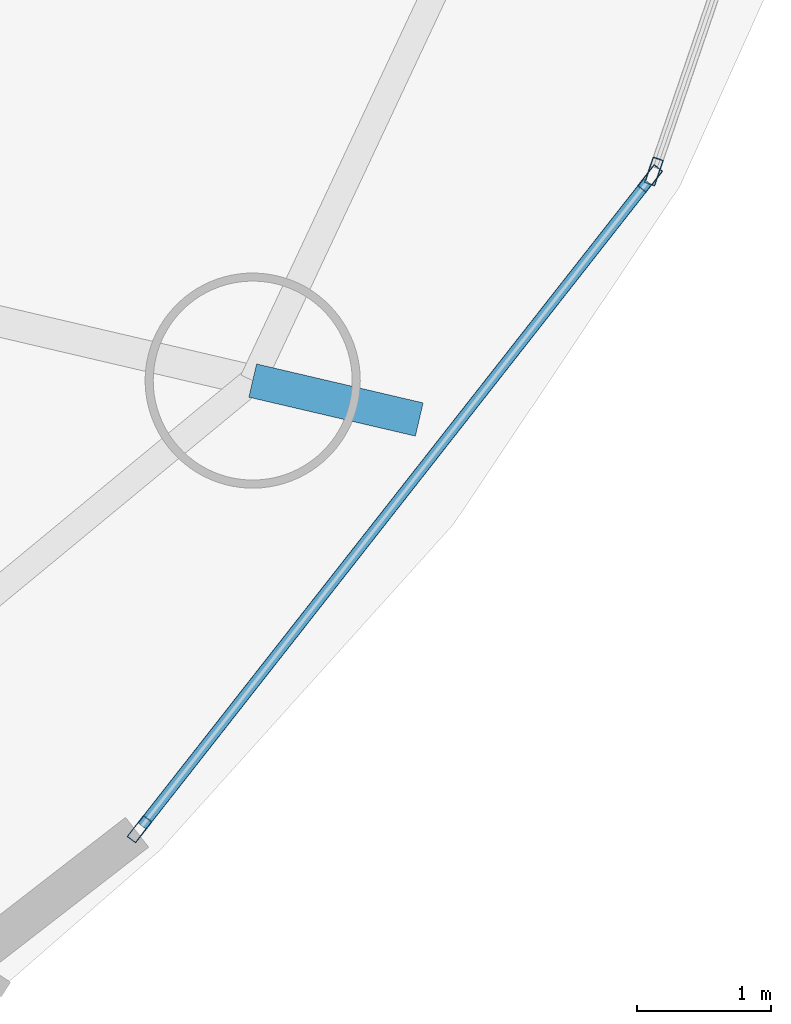
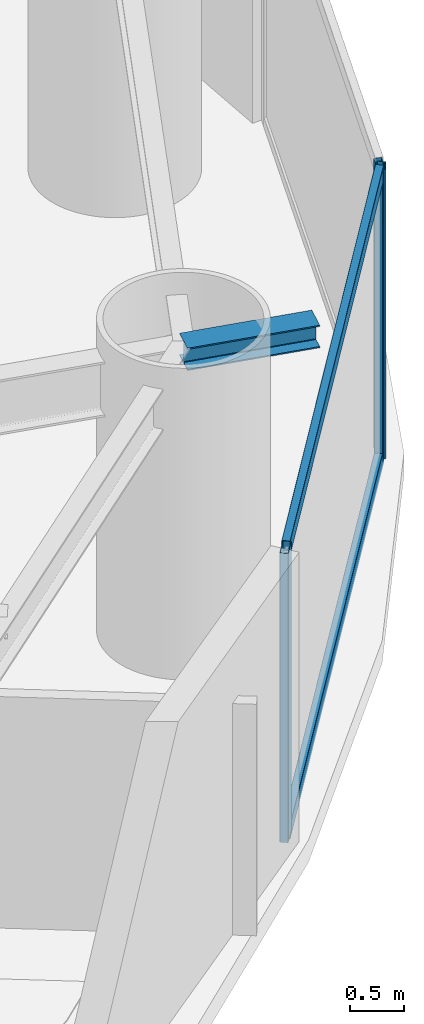
# One storey, part 7 of 23: 5 members, 1 beam, 2 elements without a shape of their own.
"""IFC4 building model written with IfcOpenShell, lengths in metres."""

from ifc_helpers import new_model, si_unit, direction, frame, origin, origin_2d, place, context, subcontext, project, spatial, hollow_rectangle, i_section, extrude, material, layer, layer_set, material_profile, profile_set, type_object, element, aggregate, save


model = new_model("IFC4")

# Units and contexts
model_context = context("Model", 3, precision=1e-05, world=origin(), true_north=direction((0.0, 1.0)))
body_context = subcontext(model_context, "Body", "Model", "MODEL_VIEW")
ifc_project = project(units=[si_unit("LENGTHUNIT", "METRE"), si_unit("AREAUNIT", "SQUARE_METRE"), si_unit("VOLUMEUNIT", "CUBIC_METRE"), si_unit("PLANEANGLEUNIT", "RADIAN"), si_unit("MASSUNIT", "GRAM", prefix="KILO")], contexts=[model_context])

# Site, building, storey
site_placement = place(None, origin())
site = spatial("IfcSite", under=ifc_project, at=site_placement, CompositionType="ELEMENT")
building_placement = place(site_placement, origin())
building = spatial("IfcBuilding", under=site, at=building_placement, Name="Bramvorn Convention Spire", CompositionType="ELEMENT")
storey_placement = place(building_placement, frame((0.0, 0.0, 65.89990234375)))
storey = spatial("IfcBuildingStorey", under=building, at=storey_placement, Name="L14", CompositionType="ELEMENT", Elevation=65.89990234375)

# Beam
ifc_material_1 = material(Name="Steel CSA G40.21 Grade 350 (350W)", Category="steel")
ifc_material_profile_1 = material_profile(ifc_material_1, i_section(OverallWidth=0.25390625, OverallDepth=0.2529296875, WebThickness=0.008544921875, FlangeThickness=0.01416015625, FilletRadius=0.011962890625, at=origin_2d()))
ifc_profile_set_1 = profile_set([ifc_material_profile_1], Name="Steel CSA G40.21 Grade 350 (350W) - W250X73")
beam_type = type_object("IfcBeamType", Name="BM-W250X73", PredefinedType="BEAM", material=ifc_profile_set_1)
beam_placement = place(storey_placement, frame((63.35888671875, 15.253662109375, 3.12353515625), z_axis=(0.973785961154, -0.22746626532, 0.0), x_axis=(0.22746626532, 0.973785961154, 0.0)))
element("IfcBeam", 1, at=beam_placement, inside=storey, type_object=beam_type, Name="L14 slab-edge cantilever tip beam MC16", PredefinedType="BEAM", context=body_context, shape_type="SweptSolid", body=[
    extrude(i_section(OverallWidth=0.25390625, OverallDepth=0.2529296875, WebThickness=0.008544921875, FlangeThickness=0.01416015625, FilletRadius=0.011962890625, at=origin_2d()), origin(), (0.0, 0.0, 1.0), 1.27197265625),
])

# Curtain wall, members
ifc_material_2 = material(Name="Anodised Bronze Unitised Curtain Wall", Category="aluminium")
ifc_layer = layer(ifc_material_2, 0.179931640625)
ifc_layer_set = layer_set([ifc_layer], Name="Anodised Bronze Unitised Curtain Wall - CW-HTL-FRIT")
curtain_wall_type = type_object("IfcCurtainWallType", Name="CW-HTL-FRIT", PredefinedType="USERDEFINED", material=ifc_layer_set)
curtain_wall_1_placement = place(storey_placement, origin())
curtain_wall_1 = element("IfcCurtainWall", 2, at=curtain_wall_1_placement, inside=storey, type_object=curtain_wall_type, Name="L14 fritted glass curtain wall 23", ObjectType="UNITISED CURTAIN WALL", PredefinedType="USERDEFINED")
ifc_material_3 = material(Name="Anodised Bronze Aluminium 6063-T6", Category="aluminium")
ifc_material_profile_2 = material_profile(ifc_material_3, hollow_rectangle(XDim=0.080078125, YDim=0.199951171875, WallThickness=0.00390625, InnerFilletRadius=0.0009765625, OuterFilletRadius=0.00390625, at=origin_2d()))
ifc_profile_set_2 = profile_set([ifc_material_profile_2], Name="Anodised Bronze Aluminium 6063-T6 - CWM80X200")
member_type_1 = type_object("IfcMemberType", Name="CW-MUL-180", PredefinedType="MULLION", material=ifc_profile_set_2)
member_1_placement = place(storey_placement, frame((66.31494140625, 16.757080078125, 0.0), z_axis=(0.0, 0.0, 1.0), x_axis=(0.78670640518, -0.617327329745, 0.0)))
member_1 = element("IfcMember", 3, at=member_1_placement, type_object=member_type_1, Name="CW2 mullion 1", PredefinedType="MULLION", context=body_context, shape_type="SweptSolid", body=[
    extrude(hollow_rectangle(XDim=0.080078125, YDim=0.199951171875, WallThickness=0.00390625, InnerFilletRadius=0.0009765625, OuterFilletRadius=0.00390625, at=origin_2d()), origin(), (0.0, 0.0, 1.0), 3.25),
])
member_2_placement = place(storey_placement, frame((62.51708984375, 11.917236328125, 0.0), z_axis=(0.0, 0.0, 1.0), x_axis=(0.78670640518, -0.617327329745, 0.0)))
member_2 = element("IfcMember", 4, at=member_2_placement, type_object=member_type_1, Name="CW2 mullion 2", PredefinedType="MULLION", context=body_context, shape_type="SweptSolid", body=[
    extrude(hollow_rectangle(XDim=0.080078125, YDim=0.199951171875, WallThickness=0.00390625, InnerFilletRadius=0.0009765625, OuterFilletRadius=0.00390625, at=origin_2d()), origin(), (0.0, 0.0, 1.0), 3.25),
])

# Curtain wall, member
curtain_wall_2_placement = place(storey_placement, origin())
curtain_wall_2 = element("IfcCurtainWall", 5, at=curtain_wall_2_placement, inside=storey, type_object=curtain_wall_type, Name="L14 fritted glass curtain wall 24", ObjectType="UNITISED CURTAIN WALL", PredefinedType="USERDEFINED")
member_3_placement = place(storey_placement, frame((66.34326171875, 16.80908203125, 0.0), z_axis=(0.0, 0.0, 1.0), x_axis=(0.94615430856, -0.323715962525, 0.0)))
member_3 = element("IfcMember", 6, at=member_3_placement, type_object=member_type_1, Name="CW2 mullion 2", PredefinedType="MULLION", context=body_context, shape_type="SweptSolid", body=[
    extrude(hollow_rectangle(XDim=0.080078125, YDim=0.199951171875, WallThickness=0.00390625, InnerFilletRadius=0.0009765625, OuterFilletRadius=0.00390625, at=origin_2d()), origin(), (0.0, 0.0, 1.0), 3.25),
])
aggregate(curtain_wall_2, [member_3])

# Member
ifc_material_profile_3 = material_profile(ifc_material_3, hollow_rectangle(XDim=0.080078125, YDim=0.159912109375, WallThickness=0.00390625, InnerFilletRadius=0.0009765625, OuterFilletRadius=0.00390625, at=origin_2d()))
ifc_profile_set_3 = profile_set([ifc_material_profile_3], Name="Anodised Bronze Aluminium 6063-T6 - CWT80X160")
member_type_2 = type_object("IfcMemberType", Name="CW-TRN-150", PredefinedType="USERDEFINED", material=ifc_profile_set_3)
member_4_placement = place(storey_placement, frame((66.29638671875, 16.7333984375, 0.030029296875), z_axis=(-0.61733647237, -0.786699230889, 0.0), x_axis=(0.786699230889, -0.61733647237, 0.0)))
member_4 = element("IfcMember", 7, at=member_4_placement, type_object=member_type_2, Name="CW2 transom 1.1", ObjectType="TRANSOM", PredefinedType="USERDEFINED", context=body_context, shape_type="SweptSolid", body=[
    extrude(hollow_rectangle(XDim=0.080078125, YDim=0.159912109375, WallThickness=0.00390625, InnerFilletRadius=0.0009765625, OuterFilletRadius=0.00390625, at=origin_2d()), origin(), (0.0, 0.0, 1.0), 6.091796875),
])

member_5_placement = place(storey_placement, frame((66.29638671875, 16.7333984375, 3.22021484375), z_axis=(-0.61733647237, -0.786699230889, 0.0), x_axis=(0.786699230889, -0.61733647237, 0.0)))
member_5 = element("IfcMember", 8, at=member_5_placement, type_object=member_type_2, Name="CW2 transom 1.2", ObjectType="TRANSOM", PredefinedType="USERDEFINED", context=body_context, shape_type="SweptSolid", body=[
    extrude(hollow_rectangle(XDim=0.080078125, YDim=0.159912109375, WallThickness=0.00390625, InnerFilletRadius=0.0009765625, OuterFilletRadius=0.00390625, at=origin_2d()), origin(), (0.0, 0.0, 1.0), 6.091796875),
])

aggregate(curtain_wall_1, [member_1, member_2, member_4, member_5])

save(model, "model.ifc")
